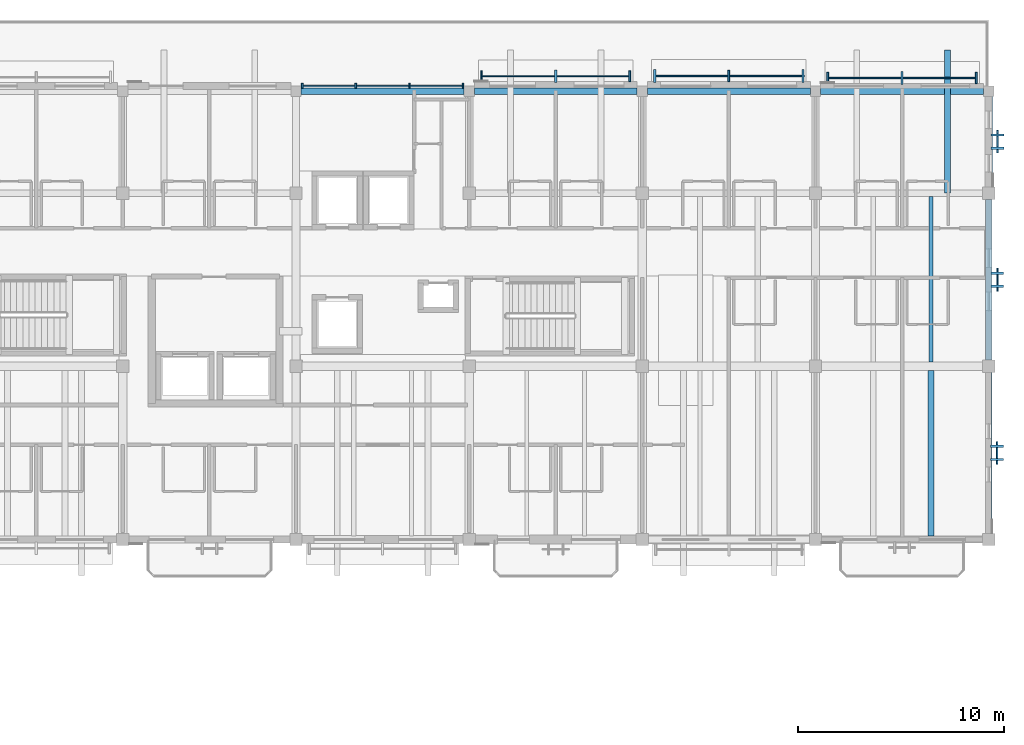
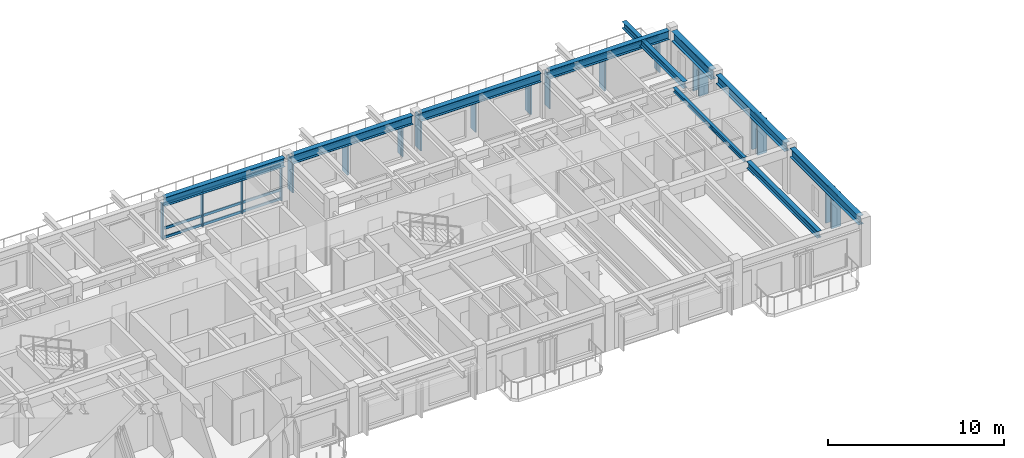
# One storey, part 6 of 22: 34 members, 10 beams, 7 elements without a shape of their own.
"""IFC4 building model written with IfcOpenShell, lengths in metres."""

from ifc_helpers import new_model, si_unit, direction, frame, origin, origin_2d, place, context, subcontext, project, spatial, rectangle, i_section, extrude, material, material_profile, profile_set, type_object, element, aggregate, save


model = new_model("IFC4")

# Units and contexts
model_context = context("Model", 3, precision=1e-05, world=origin(), true_north=direction((0.0, 1.0)))
body_context = subcontext(model_context, "Body", "Model", "MODEL_VIEW")
ifc_project = project(units=[si_unit("LENGTHUNIT", "METRE"), si_unit("AREAUNIT", "SQUARE_METRE"), si_unit("VOLUMEUNIT", "CUBIC_METRE"), si_unit("PLANEANGLEUNIT", "RADIAN"), si_unit("MASSUNIT", "GRAM", prefix="KILO")], contexts=[model_context])

# Site, building, storey
site_placement = place(None, origin())
site = spatial("IfcSite", under=ifc_project, at=site_placement, CompositionType="ELEMENT")
building_placement = place(site_placement, origin())
building = spatial("IfcBuilding", under=site, at=building_placement, Name="Cumbredor Promenade Congress Hotel", CompositionType="ELEMENT")
storey_placement = place(building_placement, frame((0.0, 0.0, 28.56005859375)))
storey = spatial("IfcBuildingStorey", under=building, at=storey_placement, Name="L08", CompositionType="ELEMENT", Elevation=28.56005859375)

# Beams
ifc_material_1 = material(Name="Steel ASTM A992 Grade 50", Category="steel")
ifc_material_profile_1 = material_profile(ifc_material_1, i_section(OverallWidth=0.323974609375, OverallDepth=0.611083984375, WebThickness=0.0126953125, FlangeThickness=0.01904296875, at=origin_2d()), Name="W24X104")
ifc_profile_set_1 = profile_set([ifc_material_profile_1], Name="Steel ASTM A992 Grade 50")
beam_type_1 = type_object("IfcBeamType", Name="BM-W24X104", PredefinedType="BEAM", material=ifc_profile_set_1)
for number, where, z_axis, x_axis, name in (
    (1, (33.85009765625, 114.14990234375, 2.814453125), (1.0, 0.0, 0.0), (0.0, 1.0, 0.0), "L09 X-Grid Beam 020"),
    (2, (42.25, 114.14990234375, 2.814453125), (1.0, 0.0, 0.0), (0.0, 1.0, 0.0), "L09 X-Grid Beam 025"),
):
    element("IfcBeam", number, at=place(storey_placement, frame(where, z_axis=z_axis, x_axis=x_axis)), inside=storey, type_object=beam_type_1, Name=name, PredefinedType="BEAM", context=body_context, shape_type="SweptSolid", body=[
        extrude(i_section(OverallWidth=0.323974609375, OverallDepth=0.611083984375, WebThickness=0.0126953125, FlangeThickness=0.01904296875, at=origin_2d()), origin(), (0.0, 0.0, 1.0), 7.89990234375),
    ])
beam_1_placement = place(storey_placement, frame((50.64990234375, 114.14990234375, 2.814453125), z_axis=(1.0, 0.0, 0.0), x_axis=(0.0, 1.0, 0.0)))
element("IfcBeam", 3, at=beam_1_placement, inside=storey, type_object=beam_type_1, Name="L09 X-Grid Beam 031", PredefinedType="BEAM", context=body_context, shape_type="SweptSolid", body=[
    extrude(i_section(OverallWidth=0.323974609375, OverallDepth=0.611083984375, WebThickness=0.0126953125, FlangeThickness=0.01904296875, at=origin_2d()), origin(), (0.0, 0.0, 1.0), 7.900146484375),
])
beam_2_placement = place(storey_placement, frame((59.050048828125, 114.14990234375, 2.814453125), z_axis=(1.0, 0.0, 0.0), x_axis=(0.0, 1.0, 0.0)))
element("IfcBeam", 4, at=beam_2_placement, inside=storey, type_object=beam_type_1, Name="L09 X-Grid Beam 037", PredefinedType="BEAM", context=body_context, shape_type="SweptSolid", body=[
    extrude(i_section(OverallWidth=0.323974609375, OverallDepth=0.611083984375, WebThickness=0.0126953125, FlangeThickness=0.01904296875, at=origin_2d()), origin(), (0.0, 0.0, 1.0), 7.89990234375),
])
ifc_material_profile_2 = material_profile(ifc_material_1, i_section(OverallWidth=0.35498046875, OverallDepth=0.695068359375, WebThickness=0.015380859375, FlangeThickness=0.02490234375, at=origin_2d()), Name="W27X146")
ifc_profile_set_2 = profile_set([ifc_material_profile_2], Name="Steel ASTM A992 Grade 50")
beam_type_2 = type_object("IfcBeamType", Name="BM-W27X146", PredefinedType="BEAM", material=ifc_profile_set_2)
beam_3_placement = place(storey_placement, frame((67.199951171875, 109.449951171875, 2.7724609375), z_axis=(0.0, 1.0, 0.0), x_axis=(-1.0, 0.0, 0.0)))
element("IfcBeam", 5, at=beam_3_placement, inside=storey, type_object=beam_type_2, Name="L09 North Veranda Back-Spanned Cantilever Girder X67", PredefinedType="BEAM", context=body_context, shape_type="SweptSolid", body=[
    extrude(i_section(OverallWidth=0.35498046875, OverallDepth=0.695068359375, WebThickness=0.015380859375, FlangeThickness=0.02490234375, at=origin_2d()), origin(), (0.0, 0.0, 1.0), 4.469970703125),
])

# Curtain wall, members
ifc_material_2 = material(Name="Thermally broken anodized aluminium and low-E glass", Category="aluminium")
curtain_wall_type_1 = type_object("IfcCurtainWallType", Name="Unitised Bronze Curtain Wall CW-01", PredefinedType="NOTDEFINED", material=ifc_material_2)
curtain_wall_1_placement = place(storey_placement, origin())
curtain_wall_1 = element("IfcCurtainWall", 6, at=curtain_wall_1_placement, inside=storey, type_object=curtain_wall_type_1, Name="L08 Stepped Congress Hotel Wing North Curtain Wall 4", PredefinedType="NOTDEFINED")
ifc_material_3 = material(Name="Thermally broken anodized aluminium", Category="aluminium")
ifc_material_profile_3 = material_profile(ifc_material_3, rectangle(XDim=0.080078125, YDim=0.239990234375, at=origin_2d()), Name="ALU MULLION 80x240")
ifc_profile_set_3 = profile_set([ifc_material_profile_3], Name="Thermally broken anodized aluminium")
member_type_1 = type_object("IfcMemberType", Name="Curtain Wall Mullion ML-03", PredefinedType="MULLION", material=ifc_profile_set_3)
member_1_placement = place(storey_placement, frame((33.905029296875, 114.39990234375, -0.008056640625), z_axis=(0.0, 0.0, 1.0), x_axis=(1.0, 0.0, 0.0)))
member_1 = element("IfcMember", 7, at=member_1_placement, type_object=member_type_1, Name="L08 Stepped Congress Hotel Wing North Curtain Wall 4 Mullion 1", PredefinedType="MULLION", context=body_context, shape_type="SweptSolid", body=[
    extrude(rectangle(XDim=0.080078125, YDim=0.239990234375, at=origin_2d()), origin(), (0.0, 0.0, 1.0), 2.510009765625),
])
member_2_placement = place(storey_placement, frame((36.501708984375, 114.39990234375, -0.008056640625), z_axis=(0.0, 0.0, 1.0), x_axis=(1.0, 0.0, 0.0)))
member_2 = element("IfcMember", 8, at=member_2_placement, type_object=member_type_1, Name="L08 Stepped Congress Hotel Wing North Curtain Wall 4 Mullion 2", PredefinedType="MULLION", context=body_context, shape_type="SweptSolid", body=[
    extrude(rectangle(XDim=0.080078125, YDim=0.239990234375, at=origin_2d()), origin(), (0.0, 0.0, 1.0), 2.510009765625),
])
member_3_placement = place(storey_placement, frame((39.098388671875, 114.39990234375, -0.008056640625), z_axis=(0.0, 0.0, 1.0), x_axis=(1.0, 0.0, 0.0)))
member_3 = element("IfcMember", 9, at=member_3_placement, type_object=member_type_1, Name="L08 Stepped Congress Hotel Wing North Curtain Wall 4 Mullion 3", PredefinedType="MULLION", context=body_context, shape_type="SweptSolid", body=[
    extrude(rectangle(XDim=0.080078125, YDim=0.239990234375, at=origin_2d()), origin(), (0.0, 0.0, 1.0), 2.510009765625),
])
member_4_placement = place(storey_placement, frame((41.695068359375, 114.39990234375, -0.008056640625), z_axis=(0.0, 0.0, 1.0), x_axis=(1.0, 0.0, 0.0)))
member_4 = element("IfcMember", 10, at=member_4_placement, type_object=member_type_1, Name="L08 Stepped Congress Hotel Wing North Curtain Wall 4 Mullion 4", PredefinedType="MULLION", context=body_context, shape_type="SweptSolid", body=[
    extrude(rectangle(XDim=0.080078125, YDim=0.239990234375, at=origin_2d()), origin(), (0.0, 0.0, 1.0), 2.510009765625),
])

# Curtain wall, member
curtain_wall_type_2 = type_object("IfcCurtainWallType", Name="Solar Brise-Soleil Screen Assembly CW-07", PredefinedType="NOTDEFINED", material=ifc_material_2)
curtain_wall_2_placement = place(storey_placement, origin())
curtain_wall_2 = element("IfcCurtainWall", 11, at=curtain_wall_2_placement, inside=storey, type_object=curtain_wall_type_2, Name="L08 Hospitality Brise-Soleil Screen 108", PredefinedType="NOTDEFINED")
ifc_material_profile_4 = material_profile(ifc_material_3, rectangle(XDim=0.06494140625, YDim=0.1298828125, at=origin_2d()), Name="ALU TRANSOM 65x130")
ifc_profile_set_4 = profile_set([ifc_material_profile_4], Name="Thermally broken anodized aluminium")
member_type_2 = type_object("IfcMemberType", Name="Curtain Wall Transom TR-01", PredefinedType="USERDEFINED", material=ifc_profile_set_4)
member_5_placement = place(storey_placement, frame((42.551025390625, 114.87255859375, 2.31396484375), z_axis=(1.0, 0.0, 0.0), x_axis=(0.0, 1.0, 0.0)))
member_5 = element("IfcMember", 12, at=member_5_placement, type_object=member_type_2, Name="L08 Brise-Soleil Screen Transom 108", ObjectType="TRANSOM", PredefinedType="USERDEFINED", context=body_context, shape_type="SweptSolid", body=[
    extrude(rectangle(XDim=0.06494140625, YDim=0.1298828125, at=origin_2d()), origin(), (0.0, 0.0, 1.0), 7.298095703125),
])

curtain_wall_3_placement = place(storey_placement, origin())
curtain_wall_3 = element("IfcCurtainWall", 13, at=curtain_wall_3_placement, inside=storey, type_object=curtain_wall_type_2, Name="L08 Hospitality Brise-Soleil Screen 109", PredefinedType="NOTDEFINED")
member_6_placement = place(storey_placement, frame((50.950927734375, 114.885009765625, 2.31396484375), z_axis=(1.0, 0.0, 0.0), x_axis=(0.0, 1.0, 0.0)))
member_6 = element("IfcMember", 14, at=member_6_placement, type_object=member_type_2, Name="L08 Brise-Soleil Screen Transom 109", ObjectType="TRANSOM", PredefinedType="USERDEFINED", context=body_context, shape_type="SweptSolid", body=[
    extrude(rectangle(XDim=0.06494140625, YDim=0.1298828125, at=origin_2d()), origin(), (0.0, 0.0, 1.0), 7.298095703125),
])

curtain_wall_4_placement = place(storey_placement, origin())
curtain_wall_4 = element("IfcCurtainWall", 15, at=curtain_wall_4_placement, inside=storey, type_object=curtain_wall_type_2, Name="L08 Hospitality Brise-Soleil Screen 110", PredefinedType="NOTDEFINED")
member_7_placement = place(storey_placement, frame((59.35107421875, 114.7900390625, 2.31396484375), z_axis=(1.0, 0.0, 0.0), x_axis=(0.0, 1.0, 0.0)))
member_7 = element("IfcMember", 16, at=member_7_placement, type_object=member_type_2, Name="L08 Brise-Soleil Screen Transom 110", ObjectType="TRANSOM", PredefinedType="USERDEFINED", context=body_context, shape_type="SweptSolid", body=[
    extrude(rectangle(XDim=0.06494140625, YDim=0.1298828125, at=origin_2d()), origin(), (0.0, 0.0, 1.0), 7.2978515625),
])

curtain_wall_5_placement = place(storey_placement, origin())
curtain_wall_5 = element("IfcCurtainWall", 17, at=curtain_wall_5_placement, inside=storey, type_object=curtain_wall_type_2, Name="L08 Pier Brise-Soleil Screen 1084", PredefinedType="NOTDEFINED")
member_8_placement = place(storey_placement, frame((67.610107421875, 96.050048828125, 2.333984375), z_axis=(0.0, 1.0, 0.0), x_axis=(-1.0, 0.0, 0.0)))
member_8 = element("IfcMember", 18, at=member_8_placement, type_object=member_type_2, Name="L08 Pier Brise-Soleil Header 1086", ObjectType="TRANSOM", PredefinedType="USERDEFINED", context=body_context, shape_type="SweptSolid", body=[
    extrude(rectangle(XDim=0.06494140625, YDim=0.1298828125, at=origin_2d()), origin(), (0.0, 0.0, 1.0), 1.099853515625),
])

curtain_wall_6_placement = place(storey_placement, origin())
curtain_wall_6 = element("IfcCurtainWall", 19, at=curtain_wall_6_placement, inside=storey, type_object=curtain_wall_type_2, Name="L08 Pier Brise-Soleil Screen 1087", PredefinedType="NOTDEFINED")
member_9_placement = place(storey_placement, frame((67.62255859375, 104.449951171875, 2.333984375), z_axis=(0.0, 1.0, 0.0), x_axis=(-1.0, 0.0, 0.0)))
member_9 = element("IfcMember", 20, at=member_9_placement, type_object=member_type_2, Name="L08 Pier Brise-Soleil Header 1089", ObjectType="TRANSOM", PredefinedType="USERDEFINED", context=body_context, shape_type="SweptSolid", body=[
    extrude(rectangle(XDim=0.06494140625, YDim=0.1298828125, at=origin_2d()), origin(), (0.0, 0.0, 1.0), 1.10009765625),
])

curtain_wall_7_placement = place(storey_placement, origin())
curtain_wall_7 = element("IfcCurtainWall", 21, at=curtain_wall_7_placement, inside=storey, type_object=curtain_wall_type_2, Name="L08 Pier Brise-Soleil Screen 1090", PredefinedType="NOTDEFINED")
member_10_placement = place(storey_placement, frame((67.635009765625, 111.14990234375, 2.25), z_axis=(0.0, 1.0, 0.0), x_axis=(-1.0, 0.0, 0.0)))
member_10 = element("IfcMember", 22, at=member_10_placement, type_object=member_type_2, Name="L08 Pier Brise-Soleil Header 1092", ObjectType="TRANSOM", PredefinedType="USERDEFINED", context=body_context, shape_type="SweptSolid", body=[
    extrude(rectangle(XDim=0.06494140625, YDim=0.1298828125, at=origin_2d()), origin(), (0.0, 0.0, 1.0), 1.10009765625),
])

# Member
ifc_material_profile_5 = material_profile(ifc_material_3, rectangle(XDim=0.080078125, YDim=0.179931640625, at=origin_2d()), Name="ALU TRANSOM 80x180")
ifc_profile_set_5 = profile_set([ifc_material_profile_5], Name="Thermally broken anodized aluminium")
member_type_3 = type_object("IfcMemberType", Name="Curtain Wall Transom TR-03", PredefinedType="USERDEFINED", material=ifc_profile_set_5)
member_11_placement = place(storey_placement, frame((33.945068359375, 114.39990234375, 0.08984375), z_axis=(1.0, 0.0, 0.0), x_axis=(0.0, 1.0, 0.0)))
member_11 = element("IfcMember", 23, at=member_11_placement, type_object=member_type_3, Name="L08 Stepped Congress Hotel Wing North Curtain Wall 4 Transom 1.1", ObjectType="TRANSOM", PredefinedType="USERDEFINED", context=body_context, shape_type="SweptSolid", body=[
    extrude(rectangle(XDim=0.080078125, YDim=0.179931640625, at=origin_2d()), origin(), (0.0, 0.0, 1.0), 2.5166015625),
])

member_12_placement = place(storey_placement, frame((33.945068359375, 114.39990234375, 0.719970703125), z_axis=(1.0, 0.0, 0.0), x_axis=(0.0, 1.0, 0.0)))
member_12 = element("IfcMember", 24, at=member_12_placement, type_object=member_type_3, Name="L08 Stepped Congress Hotel Wing North Curtain Wall 4 Transom 1.2", ObjectType="TRANSOM", PredefinedType="USERDEFINED", context=body_context, shape_type="SweptSolid", body=[
    extrude(rectangle(XDim=0.080078125, YDim=0.179931640625, at=origin_2d()), origin(), (0.0, 0.0, 1.0), 2.5166015625),
])

member_13_placement = place(storey_placement, frame((33.945068359375, 114.39990234375, 2.39990234375), z_axis=(1.0, 0.0, 0.0), x_axis=(0.0, 1.0, 0.0)))
member_13 = element("IfcMember", 25, at=member_13_placement, type_object=member_type_3, Name="L08 Stepped Congress Hotel Wing North Curtain Wall 4 Transom 1.3", ObjectType="TRANSOM", PredefinedType="USERDEFINED", context=body_context, shape_type="SweptSolid", body=[
    extrude(rectangle(XDim=0.080078125, YDim=0.179931640625, at=origin_2d()), origin(), (0.0, 0.0, 1.0), 2.5166015625),
])

member_14_placement = place(storey_placement, frame((36.541748046875, 114.39990234375, 0.08984375), z_axis=(1.0, 0.0, 0.0), x_axis=(0.0, 1.0, 0.0)))
member_14 = element("IfcMember", 26, at=member_14_placement, type_object=member_type_3, Name="L08 Stepped Congress Hotel Wing North Curtain Wall 4 Transom 2.1", ObjectType="TRANSOM", PredefinedType="USERDEFINED", context=body_context, shape_type="SweptSolid", body=[
    extrude(rectangle(XDim=0.080078125, YDim=0.179931640625, at=origin_2d()), origin(), (0.0, 0.0, 1.0), 2.5166015625),
])

member_15_placement = place(storey_placement, frame((36.541748046875, 114.39990234375, 0.719970703125), z_axis=(1.0, 0.0, 0.0), x_axis=(0.0, 1.0, 0.0)))
member_15 = element("IfcMember", 27, at=member_15_placement, type_object=member_type_3, Name="L08 Stepped Congress Hotel Wing North Curtain Wall 4 Transom 2.2", ObjectType="TRANSOM", PredefinedType="USERDEFINED", context=body_context, shape_type="SweptSolid", body=[
    extrude(rectangle(XDim=0.080078125, YDim=0.179931640625, at=origin_2d()), origin(), (0.0, 0.0, 1.0), 2.5166015625),
])

member_16_placement = place(storey_placement, frame((36.541748046875, 114.39990234375, 2.39990234375), z_axis=(1.0, 0.0, 0.0), x_axis=(0.0, 1.0, 0.0)))
member_16 = element("IfcMember", 28, at=member_16_placement, type_object=member_type_3, Name="L08 Stepped Congress Hotel Wing North Curtain Wall 4 Transom 2.3", ObjectType="TRANSOM", PredefinedType="USERDEFINED", context=body_context, shape_type="SweptSolid", body=[
    extrude(rectangle(XDim=0.080078125, YDim=0.179931640625, at=origin_2d()), origin(), (0.0, 0.0, 1.0), 2.5166015625),
])

member_17_placement = place(storey_placement, frame((39.13818359375, 114.39990234375, 0.08984375), z_axis=(1.0, 0.0, 0.0), x_axis=(0.0, 1.0, 0.0)))
member_17 = element("IfcMember", 29, at=member_17_placement, type_object=member_type_3, Name="L08 Stepped Congress Hotel Wing North Curtain Wall 4 Transom 3.1", ObjectType="TRANSOM", PredefinedType="USERDEFINED", context=body_context, shape_type="SweptSolid", body=[
    extrude(rectangle(XDim=0.080078125, YDim=0.179931640625, at=origin_2d()), origin(), (0.0, 0.0, 1.0), 2.516845703125),
])

member_18_placement = place(storey_placement, frame((39.13818359375, 114.39990234375, 0.719970703125), z_axis=(1.0, 0.0, 0.0), x_axis=(0.0, 1.0, 0.0)))
member_18 = element("IfcMember", 30, at=member_18_placement, type_object=member_type_3, Name="L08 Stepped Congress Hotel Wing North Curtain Wall 4 Transom 3.2", ObjectType="TRANSOM", PredefinedType="USERDEFINED", context=body_context, shape_type="SweptSolid", body=[
    extrude(rectangle(XDim=0.080078125, YDim=0.179931640625, at=origin_2d()), origin(), (0.0, 0.0, 1.0), 2.516845703125),
])

member_19_placement = place(storey_placement, frame((39.13818359375, 114.39990234375, 2.39990234375), z_axis=(1.0, 0.0, 0.0), x_axis=(0.0, 1.0, 0.0)))
member_19 = element("IfcMember", 31, at=member_19_placement, type_object=member_type_3, Name="L08 Stepped Congress Hotel Wing North Curtain Wall 4 Transom 3.3", ObjectType="TRANSOM", PredefinedType="USERDEFINED", context=body_context, shape_type="SweptSolid", body=[
    extrude(rectangle(XDim=0.080078125, YDim=0.179931640625, at=origin_2d()), origin(), (0.0, 0.0, 1.0), 2.516845703125),
])

aggregate(curtain_wall_1, [member_1, member_2, member_3, member_4, member_11, member_12, member_13, member_14, member_15, member_16, member_17, member_18, member_19])

# Beams
ifc_material_profile_6 = material_profile(ifc_material_1, i_section(OverallWidth=0.202880859375, OverallDepth=0.302978515625, WebThickness=0.007568359375, FlangeThickness=0.01318359375, at=origin_2d()), Name="W12X40")
ifc_profile_set_6 = profile_set([ifc_material_profile_6], Name="Steel ASTM A992 Grade 50")
beam_type_3 = type_object("IfcBeamType", Name="JST-W12X40", PredefinedType="JOIST", material=ifc_profile_set_6)
beam_4_placement = place(storey_placement, frame((64.39990234375, 101.0, 2.968505859375), z_axis=(0.0, 1.0, 0.0), x_axis=(-1.0, 0.0, 0.0)))
element("IfcBeam", 32, at=beam_4_placement, inside=storey, type_object=beam_type_3, Name="L09 Secondary Floor Joist 0016", PredefinedType="JOIST", context=body_context, shape_type="SweptSolid", body=[
    extrude(i_section(OverallWidth=0.202880859375, OverallDepth=0.302978515625, WebThickness=0.007568359375, FlangeThickness=0.01318359375, at=origin_2d()), origin(), (0.0, 0.0, 1.0), 8.0380859375),
])
ifc_material_profile_7 = material_profile(ifc_material_1, i_section(OverallWidth=0.280029296875, OverallDepth=0.462890625, WebThickness=0.0107421875, FlangeThickness=0.017333984375, at=origin_2d()), Name="W18X76")
ifc_profile_set_7 = profile_set([ifc_material_profile_7], Name="Steel ASTM A992 Grade 50")
beam_type_4 = type_object("IfcBeamType", Name="JST-W18X76", PredefinedType="JOIST", material=ifc_profile_set_7)
beam_5_placement = place(storey_placement, frame((65.199951171875, 109.199951171875, 2.888427734375), z_axis=(0.0, 1.0, 0.0), x_axis=(-1.0, 0.0, 0.0)))
element("IfcBeam", 33, at=beam_5_placement, inside=storey, type_object=beam_type_4, Name="L09 Balcony Back-Spanned Outrigger Beam 056.2", PredefinedType="JOIST", context=body_context, shape_type="SweptSolid", body=[
    extrude(i_section(OverallWidth=0.280029296875, OverallDepth=0.462890625, WebThickness=0.0107421875, FlangeThickness=0.017333984375, at=origin_2d()), origin(), (0.0, 0.0, 1.0), 6.949951171875),
])
beam_6_placement = place(storey_placement, frame((64.39990234375, 92.56201171875, 2.888427734375), z_axis=(0.0, 1.0, 0.0), x_axis=(-1.0, 0.0, 0.0)))
element("IfcBeam", 34, at=beam_6_placement, inside=storey, type_object=beam_type_4, Name="L09 Secondary Floor Joist 0014", PredefinedType="JOIST", context=body_context, shape_type="SweptSolid", body=[
    extrude(i_section(OverallWidth=0.280029296875, OverallDepth=0.462890625, WebThickness=0.0107421875, FlangeThickness=0.017333984375, at=origin_2d()), origin(), (0.0, 0.0, 1.0), 8.0380859375),
])
ifc_material_profile_8 = material_profile(ifc_material_1, i_section(OverallWidth=0.323974609375, OverallDepth=0.611083984375, WebThickness=0.0126953125, FlangeThickness=0.01904296875, at=origin_2d()), Name="W24X104")
ifc_profile_set_8 = profile_set([ifc_material_profile_8], Name="Steel ASTM A992 Grade 50")
beam_type_5 = type_object("IfcBeamType", Name="SP-W24X104", PredefinedType="SPANDREL", material=ifc_profile_set_8)
beam_7_placement = place(storey_placement, frame((67.199951171875, 92.699951171875, 2.814453125), z_axis=(0.0, 1.0, 0.0), x_axis=(-1.0, 0.0, 0.0)))
element("IfcBeam", 35, at=beam_7_placement, inside=storey, type_object=beam_type_5, Name="L09 Y-Grid Beam 038", PredefinedType="SPANDREL", context=body_context, shape_type="SweptSolid", body=[
    extrude(i_section(OverallWidth=0.323974609375, OverallDepth=0.611083984375, WebThickness=0.0126953125, FlangeThickness=0.01904296875, at=origin_2d()), origin(), (0.0, 0.0, 1.0), 7.800048828125),
])
beam_8_placement = place(storey_placement, frame((67.199951171875, 101.10009765625, 2.814453125), z_axis=(0.0, 1.0, 0.0), x_axis=(-1.0, 0.0, 0.0)))
element("IfcBeam", 36, at=beam_8_placement, inside=storey, type_object=beam_type_5, Name="L09 Y-Grid Beam 039", PredefinedType="SPANDREL", context=body_context, shape_type="SweptSolid", body=[
    extrude(i_section(OverallWidth=0.323974609375, OverallDepth=0.611083984375, WebThickness=0.0126953125, FlangeThickness=0.01904296875, at=origin_2d()), origin(), (0.0, 0.0, 1.0), 7.7998046875),
])

# Member
ifc_material_profile_9 = material_profile(ifc_material_3, rectangle(XDim=0.110107421875, YDim=0.6201171875, at=origin_2d()), Name="ARCH FIN 110x620")
ifc_profile_set_9 = profile_set([ifc_material_profile_9], Name="Thermally broken anodized aluminium")
member_type_4 = type_object("IfcMemberType", Name="Vertical Bronze Brise-Soleil Fin BSF-02 110x620", PredefinedType="USERDEFINED", material=ifc_profile_set_9)
member_20_placement = place(storey_placement, frame((46.199951171875, 114.87255859375, 0.02001953125), z_axis=(0.0, 0.0, 1.0), x_axis=(1.0, 0.0, 0.0)))
member_20 = element("IfcMember", 37, at=member_20_placement, type_object=member_type_4, Name="L08 Vertical Brise-Soleil Fin 1070", ObjectType="SOLAR FIN", PredefinedType="USERDEFINED", context=body_context, shape_type="SweptSolid", body=[
    extrude(rectangle(XDim=0.110107421875, YDim=0.6201171875, at=origin_2d()), origin(), (0.0, 0.0, 1.0), 2.35400390625),
])

member_21_placement = place(storey_placement, frame((51.0009765625, 114.885009765625, 0.02001953125), z_axis=(0.0, 0.0, 1.0), x_axis=(1.0, 0.0, 0.0)))
member_21 = element("IfcMember", 38, at=member_21_placement, type_object=member_type_4, Name="L08 Vertical Brise-Soleil Fin 1072", ObjectType="SOLAR FIN", PredefinedType="USERDEFINED", context=body_context, shape_type="SweptSolid", body=[
    extrude(rectangle(XDim=0.110107421875, YDim=0.6201171875, at=origin_2d()), origin(), (0.0, 0.0, 1.0), 2.35400390625),
])

member_22_placement = place(storey_placement, frame((58.198974609375, 114.885009765625, 0.02001953125), z_axis=(0.0, 0.0, 1.0), x_axis=(1.0, 0.0, 0.0)))
member_22 = element("IfcMember", 39, at=member_22_placement, type_object=member_type_4, Name="L08 Vertical Brise-Soleil Fin 1074", ObjectType="SOLAR FIN", PredefinedType="USERDEFINED", context=body_context, shape_type="SweptSolid", body=[
    extrude(rectangle(XDim=0.110107421875, YDim=0.6201171875, at=origin_2d()), origin(), (0.0, 0.0, 1.0), 2.35400390625),
])

member_23_placement = place(storey_placement, frame((63.0, 114.7900390625, 0.02001953125), z_axis=(0.0, 0.0, 1.0), x_axis=(1.0, 0.0, 0.0)))
member_23 = element("IfcMember", 40, at=member_23_placement, type_object=member_type_4, Name="L08 Vertical Brise-Soleil Fin 1076", ObjectType="SOLAR FIN", PredefinedType="USERDEFINED", context=body_context, shape_type="SweptSolid", body=[
    extrude(rectangle(XDim=0.110107421875, YDim=0.6201171875, at=origin_2d()), origin(), (0.0, 0.0, 1.0), 2.35400390625),
])

member_24_placement = place(storey_placement, frame((67.610107421875, 96.280029296875, 0.02001953125), z_axis=(0.0, 0.0, 1.0), x_axis=(0.0, 1.0, 0.0)))
member_24 = element("IfcMember", 41, at=member_24_placement, type_object=member_type_4, Name="L08 Pier Brise-Soleil Fin 1085", ObjectType="SOLAR FIN", PredefinedType="USERDEFINED", context=body_context, shape_type="SweptSolid", body=[
    extrude(rectangle(XDim=0.110107421875, YDim=0.6201171875, at=origin_2d()), origin(), (0.0, 0.0, 1.0), 2.35400390625),
])

member_25_placement = place(storey_placement, frame((67.610107421875, 96.919921875, 0.02001953125), z_axis=(0.0, 0.0, 1.0), x_axis=(0.0, 1.0, 0.0)))
member_25 = element("IfcMember", 42, at=member_25_placement, type_object=member_type_4, Name="L08 Pier Brise-Soleil Fin 1086", ObjectType="SOLAR FIN", PredefinedType="USERDEFINED", context=body_context, shape_type="SweptSolid", body=[
    extrude(rectangle(XDim=0.110107421875, YDim=0.6201171875, at=origin_2d()), origin(), (0.0, 0.0, 1.0), 2.35400390625),
])

aggregate(curtain_wall_5, [member_24, member_25, member_8])

member_26_placement = place(storey_placement, frame((67.62255859375, 104.679931640625, 0.02001953125), z_axis=(0.0, 0.0, 1.0), x_axis=(0.0, 1.0, 0.0)))
member_26 = element("IfcMember", 43, at=member_26_placement, type_object=member_type_4, Name="L08 Pier Brise-Soleil Fin 1088", ObjectType="SOLAR FIN", PredefinedType="USERDEFINED", context=body_context, shape_type="SweptSolid", body=[
    extrude(rectangle(XDim=0.110107421875, YDim=0.6201171875, at=origin_2d()), origin(), (0.0, 0.0, 1.0), 2.35400390625),
])

member_27_placement = place(storey_placement, frame((67.62255859375, 105.320068359375, 0.02001953125), z_axis=(0.0, 0.0, 1.0), x_axis=(0.0, 1.0, 0.0)))
member_27 = element("IfcMember", 44, at=member_27_placement, type_object=member_type_4, Name="L08 Pier Brise-Soleil Fin 1089", ObjectType="SOLAR FIN", PredefinedType="USERDEFINED", context=body_context, shape_type="SweptSolid", body=[
    extrude(rectangle(XDim=0.110107421875, YDim=0.6201171875, at=origin_2d()), origin(), (0.0, 0.0, 1.0), 2.35400390625),
])

aggregate(curtain_wall_6, [member_26, member_27, member_9])

member_28_placement = place(storey_placement, frame((67.635009765625, 111.3798828125, 0.02001953125), z_axis=(0.0, 0.0, 1.0), x_axis=(0.0, 1.0, 0.0)))
member_28 = element("IfcMember", 45, at=member_28_placement, type_object=member_type_4, Name="L08 Pier Brise-Soleil Fin 1091", ObjectType="SOLAR FIN", PredefinedType="USERDEFINED", context=body_context, shape_type="SweptSolid", body=[
    extrude(rectangle(XDim=0.110107421875, YDim=0.6201171875, at=origin_2d()), origin(), (0.0, 0.0, 1.0), 2.27001953125),
])

member_29_placement = place(storey_placement, frame((67.635009765625, 112.02001953125, 0.02001953125), z_axis=(0.0, 0.0, 1.0), x_axis=(0.0, 1.0, 0.0)))
member_29 = element("IfcMember", 46, at=member_29_placement, type_object=member_type_4, Name="L08 Pier Brise-Soleil Fin 1092", ObjectType="SOLAR FIN", PredefinedType="USERDEFINED", context=body_context, shape_type="SweptSolid", body=[
    extrude(rectangle(XDim=0.110107421875, YDim=0.6201171875, at=origin_2d()), origin(), (0.0, 0.0, 1.0), 2.27001953125),
])

aggregate(curtain_wall_7, [member_28, member_29, member_10])

ifc_material_4 = material(Name="Kiln-dried tropical hardwood", Category="wood")
ifc_material_profile_10 = material_profile(ifc_material_4, rectangle(XDim=0.090087890625, YDim=0.550048828125, at=origin_2d()), Name="ARCH FIN 90x550")
ifc_profile_set_10 = profile_set([ifc_material_profile_10], Name="Kiln-dried tropical hardwood")
member_type_5 = type_object("IfcMemberType", Name="Vertical Hardwood Brise-Soleil Fin BSF-01 90x550", PredefinedType="USERDEFINED", material=ifc_profile_set_10)
member_30_placement = place(storey_placement, frame((42.60107421875, 114.87255859375, 0.02001953125), z_axis=(0.0, 0.0, 1.0), x_axis=(1.0, 0.0, 0.0)))
member_30 = element("IfcMember", 47, at=member_30_placement, type_object=member_type_5, Name="L08 Vertical Brise-Soleil Fin 1069", ObjectType="SOLAR FIN", PredefinedType="USERDEFINED", context=body_context, shape_type="SweptSolid", body=[
    extrude(rectangle(XDim=0.090087890625, YDim=0.550048828125, at=origin_2d()), origin(), (0.0, 0.0, 1.0), 2.35400390625),
])

member_31_placement = place(storey_placement, frame((49.799072265625, 114.87255859375, 0.02001953125), z_axis=(0.0, 0.0, 1.0), x_axis=(1.0, 0.0, 0.0)))
member_31 = element("IfcMember", 48, at=member_31_placement, type_object=member_type_5, Name="L08 Vertical Brise-Soleil Fin 1071", ObjectType="SOLAR FIN", PredefinedType="USERDEFINED", context=body_context, shape_type="SweptSolid", body=[
    extrude(rectangle(XDim=0.090087890625, YDim=0.550048828125, at=origin_2d()), origin(), (0.0, 0.0, 1.0), 2.35400390625),
])

aggregate(curtain_wall_2, [member_5, member_30, member_20, member_31])

member_32_placement = place(storey_placement, frame((54.60009765625, 114.885009765625, 0.02001953125), z_axis=(0.0, 0.0, 1.0), x_axis=(1.0, 0.0, 0.0)))
member_32 = element("IfcMember", 49, at=member_32_placement, type_object=member_type_5, Name="L08 Vertical Brise-Soleil Fin 1073", ObjectType="SOLAR FIN", PredefinedType="USERDEFINED", context=body_context, shape_type="SweptSolid", body=[
    extrude(rectangle(XDim=0.090087890625, YDim=0.550048828125, at=origin_2d()), origin(), (0.0, 0.0, 1.0), 2.35400390625),
])

aggregate(curtain_wall_3, [member_6, member_21, member_32, member_22])

member_33_placement = place(storey_placement, frame((59.40087890625, 114.7900390625, 0.02001953125), z_axis=(0.0, 0.0, 1.0), x_axis=(1.0, 0.0, 0.0)))
member_33 = element("IfcMember", 50, at=member_33_placement, type_object=member_type_5, Name="L08 Vertical Brise-Soleil Fin 1075", ObjectType="SOLAR FIN", PredefinedType="USERDEFINED", context=body_context, shape_type="SweptSolid", body=[
    extrude(rectangle(XDim=0.090087890625, YDim=0.550048828125, at=origin_2d()), origin(), (0.0, 0.0, 1.0), 2.35400390625),
])

member_34_placement = place(storey_placement, frame((66.59912109375, 114.7900390625, 0.02001953125), z_axis=(0.0, 0.0, 1.0), x_axis=(1.0, 0.0, 0.0)))
member_34 = element("IfcMember", 51, at=member_34_placement, type_object=member_type_5, Name="L08 Vertical Brise-Soleil Fin 1077", ObjectType="SOLAR FIN", PredefinedType="USERDEFINED", context=body_context, shape_type="SweptSolid", body=[
    extrude(rectangle(XDim=0.090087890625, YDim=0.550048828125, at=origin_2d()), origin(), (0.0, 0.0, 1.0), 2.35400390625),
])

aggregate(curtain_wall_4, [member_7, member_33, member_23, member_34])

save(model, "model.ifc")
